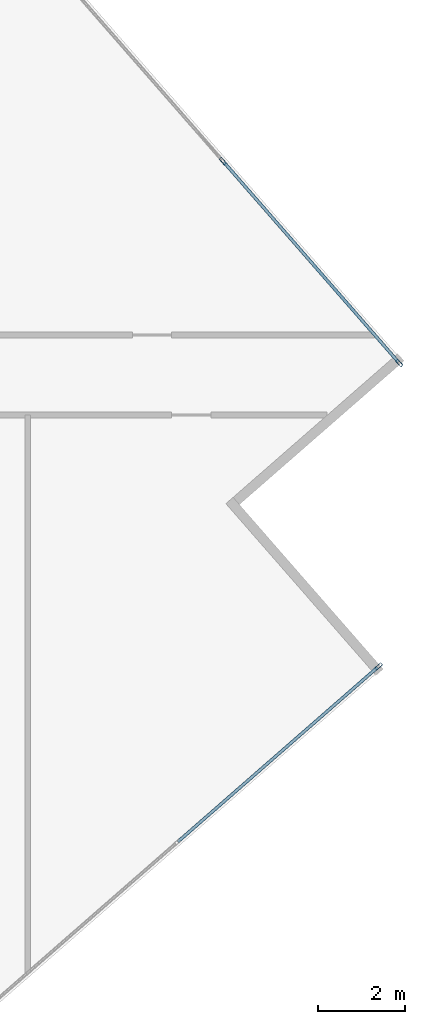
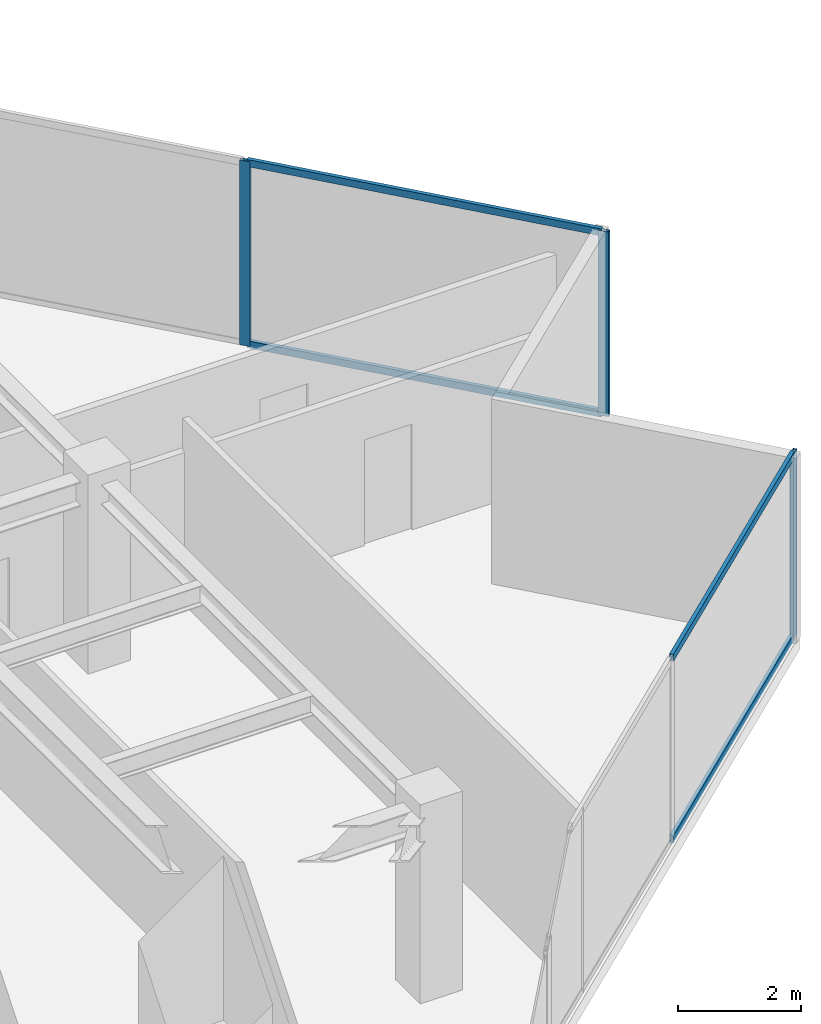
# One storey, part 12 of 24: 7 members, 2 elements without a shape of their own.
"""IFC4 building model written with IfcOpenShell, lengths in metres."""

from ifc_helpers import new_model, si_unit, direction, frame, origin, origin_2d, place, context, subcontext, project, spatial, hollow_rectangle, extrude, source, transform, mapped, material, material_profile, profile_set, type_object, type_shapes, element, aggregate, save


model = new_model("IFC4")

# Units and contexts
model_context = context("Model", 3, precision=1e-05, world=origin(), true_north=direction((0.0, 1.0)))
body_context = subcontext(model_context, "Body", "Model", "MODEL_VIEW")
ifc_project = project(units=[si_unit("LENGTHUNIT", "METRE"), si_unit("AREAUNIT", "SQUARE_METRE"), si_unit("VOLUMEUNIT", "CUBIC_METRE"), si_unit("PLANEANGLEUNIT", "RADIAN"), si_unit("MASSUNIT", "GRAM", prefix="KILO")], contexts=[model_context])

# Site, building, storey
site_placement = place(None, origin())
site = spatial("IfcSite", under=ifc_project, at=site_placement, CompositionType="ELEMENT")
building_placement = place(site_placement, origin())
building = spatial("IfcBuilding", under=site, at=building_placement, Name="Krantzveldt Concourse Tower", CompositionType="ELEMENT")
storey_placement = place(building_placement, frame((0.0, 0.0, 254.699951171875)))
storey = spatial("IfcBuildingStorey", under=building, at=storey_placement, Name="L62", CompositionType="ELEMENT", Elevation=254.699951171875)

# Curtain wall, member
ifc_material = material(Name="Anodised aluminium 6063-T6", Category="aluminium")
curtain_wall_type = type_object("IfcCurtainWallType", Name="CW3", PredefinedType="USERDEFINED", material=ifc_material)
curtain_wall_1_placement = place(storey_placement, origin())
curtain_wall_1 = element("IfcCurtainWall", 1, at=curtain_wall_1_placement, inside=storey, type_object=curtain_wall_type, Name="CW-L62-F07", ObjectType="UNITISED CURTAIN WALL", PredefinedType="USERDEFINED")
ifc_material_profile_1 = material_profile(ifc_material, hollow_rectangle(XDim=0.070068359375, YDim=0.179931640625, WallThickness=0.0048828125, at=origin_2d()), Name="Anodised aluminium 6063-T6", Category="aluminium")
ifc_profile_set_1 = profile_set([ifc_material_profile_1], Name="Anodised aluminium 6063-T6 - ALU-MULL 180x70x5")
member_type_1 = type_object("IfcMemberType", Name="CW-MUL-180", PredefinedType="MULLION", material=ifc_profile_set_1)
shared_shape_1 = source(origin(), body_context, "Body", "SweptSolid", [
    extrude(hollow_rectangle(XDim=0.070068359375, YDim=0.179931640625, WallThickness=0.0048828125, at=origin_2d()), origin(), (0.0, 0.0, 1.0), 3.670166015625),
])
type_shapes(member_type_1, [shared_shape_1])
member_1_placement = place(storey_placement, frame((61.0732421875, 21.4970703125, 0.0), z_axis=(0.0, 0.0, 1.0), x_axis=(-0.657703938567, 0.753276529034, 0.0)))
member_1 = element("IfcMember", 2, at=member_1_placement, type_object=member_type_1, Name="CW-Z34 mullion 6", PredefinedType="MULLION", context=body_context, shape_type="MappedRepresentation", body=[
    mapped(shared_shape_1, transform((0.0, 0.0, 0.0), x_axis=(1.0, 0.0, 0.0), y_axis=(0.0, 1.0, 0.0), z_axis=(0.0, 0.0, 1.0), scale=1.0)),
])

# Curtain wall, members
curtain_wall_2_placement = place(storey_placement, origin())
curtain_wall_2 = element("IfcCurtainWall", 3, at=curtain_wall_2_placement, inside=storey, type_object=curtain_wall_type, Name="CW-L62-F10", ObjectType="UNITISED CURTAIN WALL", PredefinedType="USERDEFINED")
member_2_placement = place(storey_placement, frame((61.545654296875, 28.474365234375, 0.0), z_axis=(0.0, 0.0, 1.0), x_axis=(-0.753276529034, -0.657703938567, 0.0)))
member_2 = element("IfcMember", 4, at=member_2_placement, type_object=member_type_1, Name="CW-Z34 mullion 1", PredefinedType="MULLION", context=body_context, shape_type="MappedRepresentation", body=[
    mapped(shared_shape_1, transform((0.0, 0.0, 0.0), x_axis=(1.0, 0.0, 0.0), y_axis=(0.0, 1.0, 0.0), z_axis=(0.0, 0.0, 1.0), scale=1.0)),
])
member_3_placement = place(storey_placement, frame((57.490966796875, 33.1181640625, 0.0), z_axis=(0.0, 0.0, 1.0), x_axis=(-0.753276529034, -0.657703938567, 0.0)))
member_3 = element("IfcMember", 5, at=member_3_placement, type_object=member_type_1, Name="CW-Z34 mullion 2", PredefinedType="MULLION", context=body_context, shape_type="MappedRepresentation", body=[
    mapped(shared_shape_1, transform((0.0, 0.0, 0.0), x_axis=(1.0, 0.0, 0.0), y_axis=(0.0, 1.0, 0.0), z_axis=(0.0, 0.0, 1.0), scale=1.0)),
])

# Member
ifc_material_profile_2 = material_profile(ifc_material, hollow_rectangle(XDim=0.070068359375, YDim=0.139892578125, WallThickness=0.0048828125, at=origin_2d()), Name="Anodised aluminium 6063-T6", Category="aluminium")
ifc_profile_set_2 = profile_set([ifc_material_profile_2], Name="Anodised aluminium 6063-T6 - ALU-TRAN 140x70x5")
member_type_2 = type_object("IfcMemberType", Name="CW-TRN-150", PredefinedType="USERDEFINED", material=ifc_profile_set_2)
shared_shape_2 = source(origin(), body_context, "Body", "SweptSolid", [
    extrude(hollow_rectangle(XDim=0.070068359375, YDim=0.139892578125, WallThickness=0.0048828125, at=origin_2d()), origin(), (0.0, 0.0, 1.0), 6.094970703125),
])
member_4_placement = place(storey_placement, frame((56.45556640625, 17.46533203125, 0.03515625), z_axis=(0.753295838035, 0.657681823072, 0.0), x_axis=(-0.657681823072, 0.753295838035, 0.0)))
member_4 = element("IfcMember", 6, at=member_4_placement, type_object=member_type_2, Name="CW-Z34 transom 5.1", ObjectType="TRANSOM", PredefinedType="USERDEFINED", context=body_context, shape_type="MappedRepresentation", body=[
    mapped(shared_shape_2, transform((0.0, 0.0, 0.0), x_axis=(1.0, 0.0, 0.0), y_axis=(0.0, 1.0, 0.0), z_axis=(0.0, 0.0, 1.0), scale=1.0)),
])

member_5_placement = place(storey_placement, frame((56.45556640625, 17.46533203125, 3.635009765625), z_axis=(0.753295838035, 0.657681823072, 0.0), x_axis=(-0.657681823072, 0.753295838035, 0.0)))
member_5 = element("IfcMember", 7, at=member_5_placement, type_object=member_type_2, Name="CW-Z34 transom 5.2", ObjectType="TRANSOM", PredefinedType="USERDEFINED", context=body_context, shape_type="MappedRepresentation", body=[
    mapped(shared_shape_2, transform((0.0, 0.0, 0.0), x_axis=(1.0, 0.0, 0.0), y_axis=(0.0, 1.0, 0.0), z_axis=(0.0, 0.0, 1.0), scale=1.0)),
])

aggregate(curtain_wall_1, [member_1, member_4, member_5])

shared_shape_3 = source(origin(), body_context, "Body", "SweptSolid", [
    extrude(hollow_rectangle(XDim=0.070068359375, YDim=0.139892578125, WallThickness=0.0048828125, at=origin_2d()), origin(), (0.0, 0.0, 1.0), 6.0947265625),
])
type_shapes(member_type_2, [shared_shape_2, shared_shape_3])
member_6_placement = place(storey_placement, frame((61.522705078125, 28.500732421875, 0.03515625), z_axis=(-0.657701668417, 0.753278511151, 0.0), x_axis=(-0.753278511151, -0.657701668417, 0.0)))
member_6 = element("IfcMember", 8, at=member_6_placement, type_object=member_type_2, Name="CW-Z34 transom 1.1", ObjectType="TRANSOM", PredefinedType="USERDEFINED", context=body_context, shape_type="MappedRepresentation", body=[
    mapped(shared_shape_3, transform((0.0, 0.0, 0.0), x_axis=(1.0, 0.0, 0.0), y_axis=(0.0, 1.0, 0.0), z_axis=(0.0, 0.0, 1.0), scale=1.0)),
])

member_7_placement = place(storey_placement, frame((61.522705078125, 28.500732421875, 3.635009765625), z_axis=(-0.657701668417, 0.753278511151, 0.0), x_axis=(-0.753278511151, -0.657701668417, 0.0)))
member_7 = element("IfcMember", 9, at=member_7_placement, type_object=member_type_2, Name="CW-Z34 transom 1.2", ObjectType="TRANSOM", PredefinedType="USERDEFINED", context=body_context, shape_type="MappedRepresentation", body=[
    mapped(shared_shape_3, transform((0.0, 0.0, 0.0), x_axis=(1.0, 0.0, 0.0), y_axis=(0.0, 1.0, 0.0), z_axis=(0.0, 0.0, 1.0), scale=1.0)),
])

aggregate(curtain_wall_2, [member_2, member_3, member_6, member_7])

save(model, "model.ifc")
